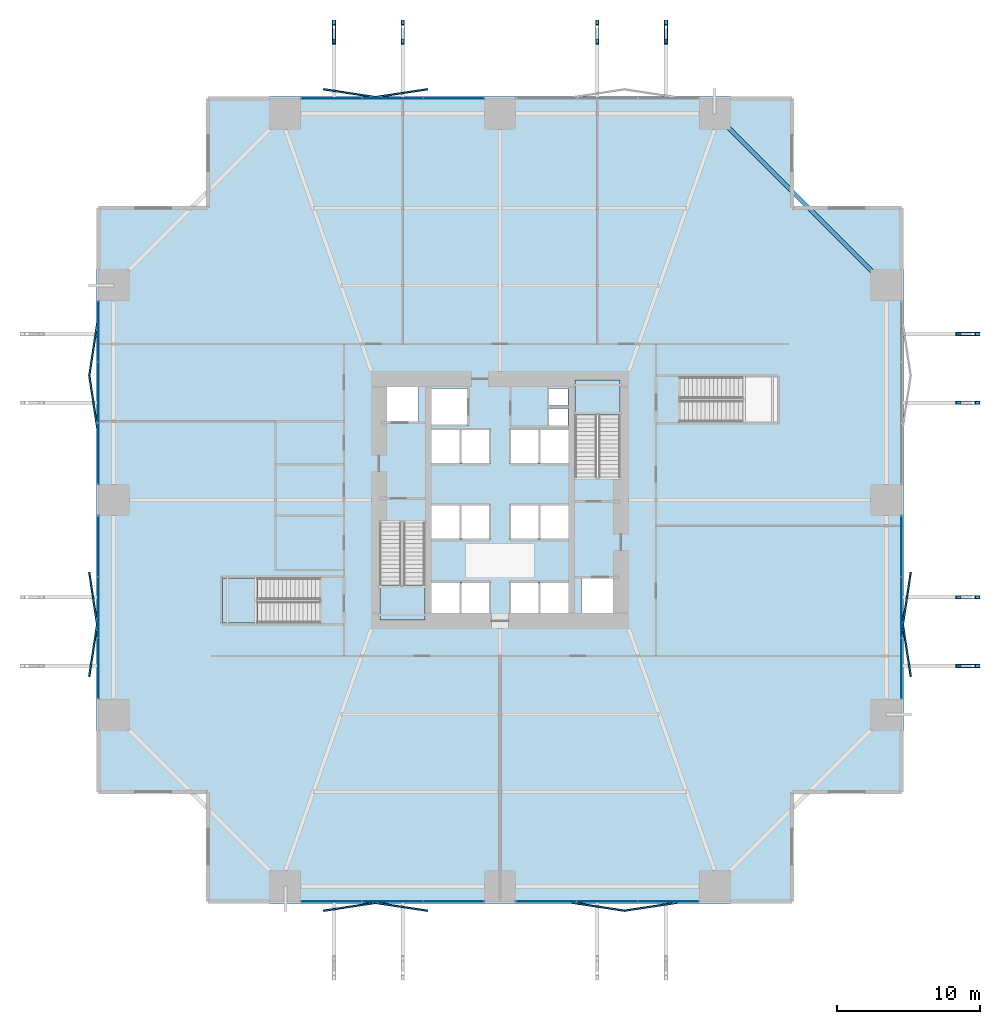
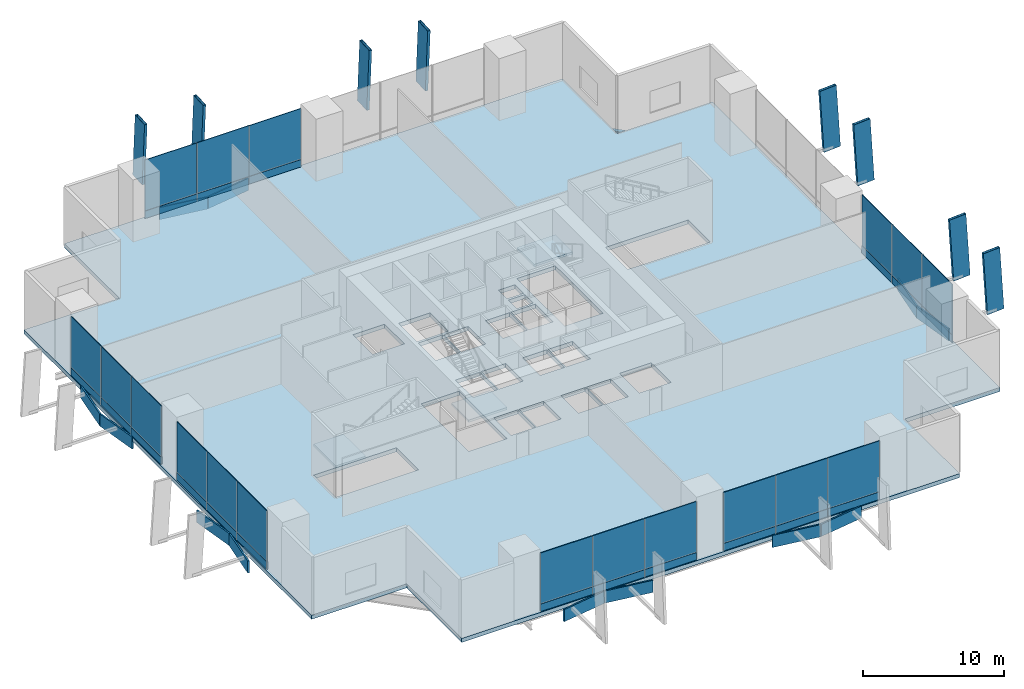
# One storey, part 18 of 24: 48 plates, 8 members, 4 slabs, 1 beam, 9 elements without a shape of their own.
"""IFC4 building model written with IfcOpenShell, lengths in metres."""

from ifc_helpers import new_model, si_unit, direction, frame, origin, origin_2d, place, context, subcontext, project, spatial, polyline, rectangle, hollow_rectangle, i_section, outline, extrude, material, layer, layer_set, material_profile, profile_set, type_object, element, aggregate, save


model = new_model("IFC4")

# Units and contexts
model_context = context("Model", 3, precision=1e-05, world=origin(), true_north=direction((0.0, 1.0)))
body_context = subcontext(model_context, "Body", "Model", "MODEL_VIEW")
ifc_project = project(units=[si_unit("LENGTHUNIT", "METRE"), si_unit("AREAUNIT", "SQUARE_METRE"), si_unit("VOLUMEUNIT", "CUBIC_METRE"), si_unit("PLANEANGLEUNIT", "RADIAN"), si_unit("MASSUNIT", "GRAM", prefix="KILO")], contexts=[model_context])

# Site, building, storey
site_placement = place(None, origin())
site = spatial("IfcSite", under=ifc_project, at=site_placement, CompositionType="ELEMENT")
building_placement = place(site_placement, origin())
building = spatial("IfcBuilding", under=site, at=building_placement, Name="Belovzor Exchange Tower", CompositionType="ELEMENT")
storey_placement = place(building_placement, frame((0.0, 0.0, 8.39990234375)))
storey = spatial("IfcBuildingStorey", under=building, at=storey_placement, Name="L02", CompositionType="ELEMENT", Elevation=8.39990234375)

# Members
ifc_material_1 = material(Name="Extruded Architectural Terracotta on Steel S355 Carrier", Category="masonry")
ifc_material_profile_1 = material_profile(ifc_material_1, hollow_rectangle(XDim=0.219970703125, YDim=1.35009765625, WallThickness=0.013916015625, at=origin_2d()))
ifc_profile_set_1 = profile_set([ifc_material_profile_1], Name="Extruded Architectural Terracotta on Steel S355 Carrier")
member_type = type_object("IfcMemberType", Name="Base Arc Sweeping Terracotta Pylon Fin 1450", PredefinedType="USERDEFINED", material=ifc_profile_set_1)
for number, where, z_axis, x_axis, name in (
    (1, (17.199951171875, 61.680908203125, -0.349853515625), (0.0, -0.062990673004, 0.998014115689), (1.0, 0.0, 0.0), "FIN-TC145 Terracotta Facade Fin L02 N1"),
    (2, (61.680908203125, 17.199951171875, -0.349853515625), (-0.062990673004, 0.0, 0.998014115689), (0.0, -1.0, 0.0), "FIN-TC145 Terracotta Facade Fin L02 E1"),
    (3, (22.0, 61.680908203125, -0.349853515625), (0.0, -0.062990673004, 0.998014115689), (1.0, 0.0, 0.0), "FIN-TC145 Terracotta Facade Fin L02 N2"),
    (4, (61.680908203125, 22.0, -0.349853515625), (-0.062990673004, 0.0, 0.998014115689), (0.0, -1.0, 0.0), "FIN-TC145 Terracotta Facade Fin L02 E2"),
    (5, (35.60009765625, 61.680908203125, -0.349853515625), (0.0, -0.062990673004, 0.998014115689), (1.0, 0.0, 0.0), "FIN-TC145 Terracotta Facade Fin L02 N3"),
    (6, (61.680908203125, 35.60009765625, -0.349853515625), (-0.062990673004, 0.0, 0.998014115689), (0.0, -1.0, 0.0), "FIN-TC145 Terracotta Facade Fin L02 E3"),
    (7, (40.39990234375, 61.680908203125, -0.349853515625), (0.0, -0.062990673004, 0.998014115689), (1.0, 0.0, 0.0), "FIN-TC145 Terracotta Facade Fin L02 N4"),
    (8, (61.680908203125, 40.39990234375, -0.349853515625), (-0.062990673004, 0.0, 0.998014115689), (0.0, -1.0, 0.0), "FIN-TC145 Terracotta Facade Fin L02 E4"),
):
    element("IfcMember", number, at=place(storey_placement, frame(where, z_axis=z_axis, x_axis=x_axis)), inside=storey, type_object=member_type, Name=name, ObjectType="FIN", PredefinedType="USERDEFINED", context=body_context, shape_type="SweptSolid", body=[
        extrude(hollow_rectangle(XDim=0.219970703125, YDim=1.35009765625, WallThickness=0.013916015625, at=origin_2d()), origin(), (0.0, 0.0, 1.0), 5.41064453125),
    ])

# Beam
ifc_material_2 = material(Name="Steel S460", Category="steel")
ifc_material_profile_2 = material_profile(ifc_material_2, i_section(OverallWidth=0.300048828125, OverallDepth=1.0, WebThickness=0.02099609375, FlangeThickness=0.0400390625, at=origin_2d()))
ifc_profile_set_2 = profile_set([ifc_material_profile_2], Name="Steel S460")
beam_type = type_object("IfcBeamType", Name="Podium Exchange Hall Ring Girder HEM 1000", PredefinedType="BEAM", material=ifc_profile_set_2)
beam_placement = place(storey_placement, frame((55.800048828125, 43.800048828125, -0.849853515625), z_axis=(-0.707106781187, 0.707106781187, 0.0), x_axis=(-0.707106781187, -0.707106781187, 0.0)))
element("IfcBeam", 9, at=beam_placement, inside=storey, type_object=beam_type, Name="PG-1 Podium Exchange Hall Ring Girder HEM 1000", PredefinedType="BEAM", context=body_context, shape_type="SweptSolid", body=[
    extrude(i_section(OverallWidth=0.300048828125, OverallDepth=1.0, WebThickness=0.02099609375, FlangeThickness=0.0400390625, at=origin_2d()), origin(), (0.0, 0.0, 1.0), 16.970458984375),
])

# Plates
ifc_material_3 = material(Name="Extruded Architectural Terracotta", Category="masonry")
ifc_layer_1 = layer(ifc_material_3, 0.1201171875)
ifc_layer_set_1 = layer_set([ifc_layer_1], Name="Extruded Architectural Terracotta")
plate_type_1 = type_object("IfcPlateType", Name="Folded Zigzag Terracotta Spandrel Louvre 80", PredefinedType="USERDEFINED", material=ifc_layer_set_1)
for number, where, z_axis, x_axis, name in (
    (10, (18.300048828125, 0.364990234375, -1.03515625), (0.0, 0.0, 1.0), (0.98853081729, 0.151019281113, 0.0), "LVR-ZZ1 Zigzag Terracotta Spandrel Louvre L02 S1A"),
    (11, (21.89990234375, 0.364990234375, -1.03515625), (0.0, 0.0, 1.0), (0.98853081729, -0.151019281113, 0.0), "LVR-ZZ1 Zigzag Terracotta Spandrel Louvre L02 S1B"),
    (12, (18.300048828125, 57.235107421875, -1.03515625), (0.0, 0.0, 1.0), (0.98853081729, -0.151019281113, 0.0), "LVR-ZZ1 Zigzag Terracotta Spandrel Louvre L02 N1A"),
    (13, (21.89990234375, 57.235107421875, -1.03515625), (0.0, 0.0, 1.0), (0.98853081729, 0.151019281113, 0.0), "LVR-ZZ1 Zigzag Terracotta Spandrel Louvre L02 N1B"),
    (14, (0.364990234375, 18.300048828125, -1.03515625), (0.0, 0.0, 1.0), (0.151019281113, 0.98853081729, 0.0), "LVR-ZZ1 Zigzag Terracotta Spandrel Louvre L02 W1A"),
    (15, (0.364990234375, 21.89990234375, -1.03515625), (0.0, 0.0, 1.0), (-0.151019281113, 0.98853081729, 0.0), "LVR-ZZ1 Zigzag Terracotta Spandrel Louvre L02 W1B"),
    (16, (57.235107421875, 18.300048828125, -1.03515625), (0.0, 0.0, 1.0), (-0.151019281113, 0.98853081729, 0.0), "LVR-ZZ1 Zigzag Terracotta Spandrel Louvre L02 E1A"),
    (17, (57.235107421875, 21.89990234375, -1.03515625), (0.0, 0.0, 1.0), (0.151019281113, 0.98853081729, 0.0), "LVR-ZZ1 Zigzag Terracotta Spandrel Louvre L02 E1B"),
    (18, (35.699951171875, 0.364990234375, -1.03515625), (0.0, 0.0, 1.0), (0.98853081729, -0.151019281113, 0.0), "LVR-ZZ1 Zigzag Terracotta Spandrel Louvre L02 S2A"),
    (19, (39.300048828125, 0.364990234375, -1.03515625), (0.0, 0.0, 1.0), (0.98853081729, 0.151019281113, 0.0), "LVR-ZZ1 Zigzag Terracotta Spandrel Louvre L02 S2B"),
    (20, (0.364990234375, 35.699951171875, -1.03515625), (0.0, 0.0, 1.0), (-0.151019281113, 0.98853081729, 0.0), "LVR-ZZ1 Zigzag Terracotta Spandrel Louvre L02 W2A"),
    (21, (0.364990234375, 39.300048828125, -1.03515625), (0.0, 0.0, 1.0), (0.151019281113, 0.98853081729, 0.0), "LVR-ZZ1 Zigzag Terracotta Spandrel Louvre L02 W2B"),
):
    element("IfcPlate", number, at=place(storey_placement, frame(where, z_axis=z_axis, x_axis=x_axis)), inside=storey, type_object=plate_type_1, Name=name, ObjectType="SPANDREL_LOUVRE", PredefinedType="USERDEFINED", context=body_context, shape_type="SweptSolid", body=[
        extrude(rectangle(XDim=3.721923828125, YDim=0.1201171875, at=origin_2d()), origin(), (0.0, 0.0, 1.0), 1.050048828125),
    ])

# Curtain wall, plates
ifc_material_4 = material(Name="Anodised Aluminium Framing", Category="aluminium")
ifc_layer_2 = layer(ifc_material_4, 0.219970703125)
ifc_layer_set_2 = layer_set([ifc_layer_2], Name="Anodised Aluminium Framing")
curtain_wall_type = type_object("IfcCurtainWallType", Name="Podium Clear-Span Exchange Hall Unitised Curtain Wall", PredefinedType="NOTDEFINED", material=ifc_layer_set_2)
curtain_wall_1_placement = place(storey_placement, origin())
curtain_wall_1 = element("IfcCurtainWall", 22, at=curtain_wall_1_placement, inside=storey, type_object=curtain_wall_type, Name="CW1 Podium Clear-Span Exchange Hall Unitised Curtain Wall L02", PredefinedType="NOTDEFINED")
ifc_material_5 = material(Name="Reconstituted Limestone Cassette", Category="masonry")
ifc_layer_3 = layer(ifc_material_5, 0.110107421875)
ifc_layer_set_3 = layer_set([ifc_layer_3], Name="Reconstituted Limestone Cassette")
plate_type_2 = type_object("IfcPlateType", Name="Insulated Stone-Faced Spandrel Cassette 110", PredefinedType="CURTAIN_PANEL", material=ifc_layer_set_3)
plate_1_placement = place(storey_placement, frame((25.56689453125, 0.72998046875, 0.000244140625), z_axis=(0.0, 0.0, 1.0), x_axis=(-1.0, 0.0, 0.0)))
plate_1 = element("IfcPlate", 23, at=plate_1_placement, type_object=plate_type_2, Name="SPD-110 Spandrel Panel 1", PredefinedType="CURTAIN_PANEL", context=body_context, shape_type="SweptSolid", body=[
    extrude(rectangle(XDim=4.2509765625, YDim=0.110107421875, at=origin_2d()), origin(), (0.0, 0.0, 1.0), 0.64794921875),
])
plate_2_placement = place(storey_placement, frame((21.300048828125, 0.72998046875, 0.000244140625), z_axis=(0.0, 0.0, 1.0), x_axis=(-1.0, 0.0, 0.0)))
plate_2 = element("IfcPlate", 24, at=plate_2_placement, type_object=plate_type_2, Name="SPD-110 Spandrel Panel 2", PredefinedType="CURTAIN_PANEL", context=body_context, shape_type="SweptSolid", body=[
    extrude(rectangle(XDim=4.2509765625, YDim=0.110107421875, at=origin_2d()), origin(), (0.0, 0.0, 1.0), 0.64794921875),
])
plate_3_placement = place(storey_placement, frame((17.032958984375, 0.72998046875, 0.000244140625), z_axis=(0.0, 0.0, 1.0), x_axis=(-1.0, 0.0, 0.0)))
plate_3 = element("IfcPlate", 25, at=plate_3_placement, type_object=plate_type_2, Name="SPD-110 Spandrel Panel 3", PredefinedType="CURTAIN_PANEL", context=body_context, shape_type="SweptSolid", body=[
    extrude(rectangle(XDim=4.2509765625, YDim=0.110107421875, at=origin_2d()), origin(), (0.0, 0.0, 1.0), 0.64794921875),
])

curtain_wall_2_placement = place(storey_placement, origin())
curtain_wall_2 = element("IfcCurtainWall", 26, at=curtain_wall_2_placement, inside=storey, type_object=curtain_wall_type, Name="CW1 Podium Clear-Span Exchange Hall Unitised Curtain Wall L02", PredefinedType="NOTDEFINED")
plate_4_placement = place(storey_placement, frame((40.56689453125, 0.72998046875, 0.000244140625), z_axis=(0.0, 0.0, 1.0), x_axis=(-1.0, 0.0, 0.0)))
plate_4 = element("IfcPlate", 27, at=plate_4_placement, type_object=plate_type_2, Name="SPD-110 Spandrel Panel 1", PredefinedType="CURTAIN_PANEL", context=body_context, shape_type="SweptSolid", body=[
    extrude(rectangle(XDim=4.2509765625, YDim=0.110107421875, at=origin_2d()), origin(), (0.0, 0.0, 1.0), 0.64794921875),
])
plate_5_placement = place(storey_placement, frame((36.300048828125, 0.72998046875, 0.000244140625), z_axis=(0.0, 0.0, 1.0), x_axis=(-1.0, 0.0, 0.0)))
plate_5 = element("IfcPlate", 28, at=plate_5_placement, type_object=plate_type_2, Name="SPD-110 Spandrel Panel 2", PredefinedType="CURTAIN_PANEL", context=body_context, shape_type="SweptSolid", body=[
    extrude(rectangle(XDim=4.2509765625, YDim=0.110107421875, at=origin_2d()), origin(), (0.0, 0.0, 1.0), 0.64794921875),
])
plate_6_placement = place(storey_placement, frame((32.032958984375, 0.72998046875, 0.000244140625), z_axis=(0.0, 0.0, 1.0), x_axis=(-1.0, 0.0, 0.0)))
plate_6 = element("IfcPlate", 29, at=plate_6_placement, type_object=plate_type_2, Name="SPD-110 Spandrel Panel 3", PredefinedType="CURTAIN_PANEL", context=body_context, shape_type="SweptSolid", body=[
    extrude(rectangle(XDim=4.2509765625, YDim=0.110107421875, at=origin_2d()), origin(), (0.0, 0.0, 1.0), 0.64794921875),
])

curtain_wall_3_placement = place(storey_placement, origin())
curtain_wall_3 = element("IfcCurtainWall", 30, at=curtain_wall_3_placement, inside=storey, type_object=curtain_wall_type, Name="CW1 Podium Clear-Span Exchange Hall Unitised Curtain Wall L02", PredefinedType="NOTDEFINED")
plate_7_placement = place(storey_placement, frame((17.032958984375, 56.8701171875, 0.000244140625), z_axis=(0.0, 0.0, 1.0), x_axis=(1.0, 0.0, 0.0)))
plate_7 = element("IfcPlate", 31, at=plate_7_placement, type_object=plate_type_2, Name="SPD-110 Spandrel Panel 1", PredefinedType="CURTAIN_PANEL", context=body_context, shape_type="SweptSolid", body=[
    extrude(rectangle(XDim=4.2509765625, YDim=0.110107421875, at=origin_2d()), origin(), (0.0, 0.0, 1.0), 0.64794921875),
])
plate_8_placement = place(storey_placement, frame((21.300048828125, 56.8701171875, 0.000244140625), z_axis=(0.0, 0.0, 1.0), x_axis=(1.0, 0.0, 0.0)))
plate_8 = element("IfcPlate", 32, at=plate_8_placement, type_object=plate_type_2, Name="SPD-110 Spandrel Panel 2", PredefinedType="CURTAIN_PANEL", context=body_context, shape_type="SweptSolid", body=[
    extrude(rectangle(XDim=4.2509765625, YDim=0.110107421875, at=origin_2d()), origin(), (0.0, 0.0, 1.0), 0.64794921875),
])
plate_9_placement = place(storey_placement, frame((25.56689453125, 56.8701171875, 0.000244140625), z_axis=(0.0, 0.0, 1.0), x_axis=(1.0, 0.0, 0.0)))
plate_9 = element("IfcPlate", 33, at=plate_9_placement, type_object=plate_type_2, Name="SPD-110 Spandrel Panel 3", PredefinedType="CURTAIN_PANEL", context=body_context, shape_type="SweptSolid", body=[
    extrude(rectangle(XDim=4.2509765625, YDim=0.110107421875, at=origin_2d()), origin(), (0.0, 0.0, 1.0), 0.64794921875),
])

curtain_wall_4_placement = place(storey_placement, origin())
curtain_wall_4 = element("IfcCurtainWall", 34, at=curtain_wall_4_placement, inside=storey, type_object=curtain_wall_type, Name="CW1 Podium Clear-Span Exchange Hall Unitised Curtain Wall L02", PredefinedType="NOTDEFINED")
plate_10_placement = place(storey_placement, frame((0.72998046875, 17.032958984375, 0.000244140625), z_axis=(0.0, 0.0, 1.0), x_axis=(0.0, 1.0, 0.0)))
plate_10 = element("IfcPlate", 35, at=plate_10_placement, type_object=plate_type_2, Name="SPD-110 Spandrel Panel 1", PredefinedType="CURTAIN_PANEL", context=body_context, shape_type="SweptSolid", body=[
    extrude(rectangle(XDim=4.2509765625, YDim=0.110107421875, at=origin_2d()), origin(), (0.0, 0.0, 1.0), 0.64794921875),
])
plate_11_placement = place(storey_placement, frame((0.72998046875, 21.300048828125, 0.000244140625), z_axis=(0.0, 0.0, 1.0), x_axis=(0.0, 1.0, 0.0)))
plate_11 = element("IfcPlate", 36, at=plate_11_placement, type_object=plate_type_2, Name="SPD-110 Spandrel Panel 2", PredefinedType="CURTAIN_PANEL", context=body_context, shape_type="SweptSolid", body=[
    extrude(rectangle(XDim=4.2509765625, YDim=0.110107421875, at=origin_2d()), origin(), (0.0, 0.0, 1.0), 0.64794921875),
])
plate_12_placement = place(storey_placement, frame((0.72998046875, 25.56689453125, 0.000244140625), z_axis=(0.0, 0.0, 1.0), x_axis=(0.0, 1.0, 0.0)))
plate_12 = element("IfcPlate", 37, at=plate_12_placement, type_object=plate_type_2, Name="SPD-110 Spandrel Panel 3", PredefinedType="CURTAIN_PANEL", context=body_context, shape_type="SweptSolid", body=[
    extrude(rectangle(XDim=4.2509765625, YDim=0.110107421875, at=origin_2d()), origin(), (0.0, 0.0, 1.0), 0.64794921875),
])

curtain_wall_5_placement = place(storey_placement, origin())
curtain_wall_5 = element("IfcCurtainWall", 38, at=curtain_wall_5_placement, inside=storey, type_object=curtain_wall_type, Name="CW1 Podium Clear-Span Exchange Hall Unitised Curtain Wall L02", PredefinedType="NOTDEFINED")
plate_13_placement = place(storey_placement, frame((0.72998046875, 32.032958984375, 0.000244140625), z_axis=(0.0, 0.0, 1.0), x_axis=(0.0, 1.0, 0.0)))
plate_13 = element("IfcPlate", 39, at=plate_13_placement, type_object=plate_type_2, Name="SPD-110 Spandrel Panel 1", PredefinedType="CURTAIN_PANEL", context=body_context, shape_type="SweptSolid", body=[
    extrude(rectangle(XDim=4.2509765625, YDim=0.110107421875, at=origin_2d()), origin(), (0.0, 0.0, 1.0), 0.64794921875),
])
plate_14_placement = place(storey_placement, frame((0.72998046875, 36.300048828125, 0.000244140625), z_axis=(0.0, 0.0, 1.0), x_axis=(0.0, 1.0, 0.0)))
plate_14 = element("IfcPlate", 40, at=plate_14_placement, type_object=plate_type_2, Name="SPD-110 Spandrel Panel 2", PredefinedType="CURTAIN_PANEL", context=body_context, shape_type="SweptSolid", body=[
    extrude(rectangle(XDim=4.2509765625, YDim=0.110107421875, at=origin_2d()), origin(), (0.0, 0.0, 1.0), 0.64794921875),
])
plate_15_placement = place(storey_placement, frame((0.72998046875, 40.56689453125, 0.000244140625), z_axis=(0.0, 0.0, 1.0), x_axis=(0.0, 1.0, 0.0)))
plate_15 = element("IfcPlate", 41, at=plate_15_placement, type_object=plate_type_2, Name="SPD-110 Spandrel Panel 3", PredefinedType="CURTAIN_PANEL", context=body_context, shape_type="SweptSolid", body=[
    extrude(rectangle(XDim=4.2509765625, YDim=0.110107421875, at=origin_2d()), origin(), (0.0, 0.0, 1.0), 0.64794921875),
])

curtain_wall_6_placement = place(storey_placement, origin())
curtain_wall_6 = element("IfcCurtainWall", 42, at=curtain_wall_6_placement, inside=storey, type_object=curtain_wall_type, Name="CW1 Podium Clear-Span Exchange Hall Unitised Curtain Wall L02", PredefinedType="NOTDEFINED")
plate_16_placement = place(storey_placement, frame((56.8701171875, 25.56689453125, 0.000244140625), z_axis=(0.0, 0.0, 1.0), x_axis=(0.0, -1.0, 0.0)))
plate_16 = element("IfcPlate", 43, at=plate_16_placement, type_object=plate_type_2, Name="SPD-110 Spandrel Panel 1", PredefinedType="CURTAIN_PANEL", context=body_context, shape_type="SweptSolid", body=[
    extrude(rectangle(XDim=4.2509765625, YDim=0.110107421875, at=origin_2d()), origin(), (0.0, 0.0, 1.0), 0.64794921875),
])
plate_17_placement = place(storey_placement, frame((56.8701171875, 21.300048828125, 0.000244140625), z_axis=(0.0, 0.0, 1.0), x_axis=(0.0, -1.0, 0.0)))
plate_17 = element("IfcPlate", 44, at=plate_17_placement, type_object=plate_type_2, Name="SPD-110 Spandrel Panel 2", PredefinedType="CURTAIN_PANEL", context=body_context, shape_type="SweptSolid", body=[
    extrude(rectangle(XDim=4.2509765625, YDim=0.110107421875, at=origin_2d()), origin(), (0.0, 0.0, 1.0), 0.64794921875),
])
plate_18_placement = place(storey_placement, frame((56.8701171875, 17.032958984375, 0.000244140625), z_axis=(0.0, 0.0, 1.0), x_axis=(0.0, -1.0, 0.0)))
plate_18 = element("IfcPlate", 45, at=plate_18_placement, type_object=plate_type_2, Name="SPD-110 Spandrel Panel 3", PredefinedType="CURTAIN_PANEL", context=body_context, shape_type="SweptSolid", body=[
    extrude(rectangle(XDim=4.2509765625, YDim=0.110107421875, at=origin_2d()), origin(), (0.0, 0.0, 1.0), 0.64794921875),
])

# Slab
ifc_material_6 = material(Name="Concrete C50/60", Category="concrete")
ifc_layer_4 = layer(ifc_material_6, 0.35009765625)
ifc_layer_set_4 = layer_set([ifc_layer_4], Name="Concrete C50/60")
slab_type_1 = type_object("IfcSlabType", Name="Reinforced Concrete Podium Hall Floor Slab 350", PredefinedType="FLOOR", material=ifc_layer_set_4)
slab_1_placement = place(storey_placement, frame((0.0, 0.0, -0.349853515625)))
element("IfcSlab", 46, at=slab_1_placement, inside=storey, type_object=slab_type_1, Name="SL-F350 Structural Slab L02", PredefinedType="FLOOR", context=body_context, shape_type="SweptSolid", body=[
    extrude(outline(polyline([(8.39990234375, 0.60009765625), (49.199951171875, 0.60009765625), (49.199951171875, 8.39990234375), (57.0, 8.39990234375), (57.0, 49.199951171875), (49.199951171875, 49.199951171875), (49.199951171875, 57.0), (8.39990234375, 57.0), (8.39990234375, 49.199951171875), (0.60009765625, 49.199951171875), (0.60009765625, 8.39990234375), (8.39990234375, 8.39990234375), (8.39990234375, 0.60009765625)]), holes=[polyline([(20.39990234375, 27.175048828125), (20.39990234375, 20.39990234375), (23.550048828125, 20.39990234375), (23.550048828125, 27.175048828125), (20.39990234375, 27.175048828125)]), polyline([(37.199951171875, 30.425048828125), (37.199951171875, 37.199951171875), (34.050048828125, 37.199951171875), (34.050048828125, 30.425048828125), (37.199951171875, 30.425048828125)]), polyline([(16.175048828125, 23.35009765625), (9.39990234375, 23.35009765625), (9.39990234375, 20.199951171875), (16.175048828125, 20.199951171875), (16.175048828125, 23.35009765625)]), polyline([(41.425048828125, 34.25), (48.199951171875, 34.25), (48.199951171875, 37.39990234375), (41.425048828125, 37.39990234375), (41.425048828125, 34.25)]), polyline([(20.5, 34.199951171875), (23.10009765625, 34.199951171875), (23.10009765625, 37.0), (20.5, 37.0), (20.5, 34.199951171875)]), polyline([(34.5, 20.60009765625), (37.10009765625, 20.60009765625), (37.10009765625, 23.39990234375), (34.5, 23.39990234375), (34.5, 20.60009765625)]), polyline([(24.0, 34.0), (26.60009765625, 34.0), (26.60009765625, 36.60009765625), (24.0, 36.60009765625), (24.0, 34.0)]), polyline([(24.0, 20.60009765625), (26.0, 20.60009765625), (26.0, 23.10009765625), (24.0, 23.10009765625), (24.0, 20.60009765625)]), polyline([(26.10009765625, 20.60009765625), (28.10009765625, 20.60009765625), (28.10009765625, 23.10009765625), (26.10009765625, 23.10009765625), (26.10009765625, 20.60009765625)]), polyline([(29.5, 20.60009765625), (31.5, 20.60009765625), (31.5, 23.10009765625), (29.5, 23.10009765625), (29.5, 20.60009765625)]), polyline([(31.60009765625, 20.60009765625), (33.60009765625, 20.60009765625), (33.60009765625, 23.10009765625), (31.60009765625, 23.10009765625), (31.60009765625, 20.60009765625)]), polyline([(24.0, 26.0), (26.0, 26.0), (26.0, 28.5), (24.0, 28.5), (24.0, 26.0)]), polyline([(26.10009765625, 26.0), (28.10009765625, 26.0), (28.10009765625, 28.5), (26.10009765625, 28.5), (26.10009765625, 26.0)]), polyline([(29.5, 26.0), (31.5, 26.0), (31.5, 28.5), (29.5, 28.5), (29.5, 26.0)]), polyline([(31.60009765625, 26.0), (33.60009765625, 26.0), (33.60009765625, 28.5), (31.60009765625, 28.5), (31.60009765625, 26.0)]), polyline([(24.0, 31.300048828125), (26.0, 31.300048828125), (26.0, 33.800048828125), (24.0, 33.800048828125), (24.0, 31.300048828125)]), polyline([(26.10009765625, 31.300048828125), (28.10009765625, 31.300048828125), (28.10009765625, 33.800048828125), (26.10009765625, 33.800048828125), (26.10009765625, 31.300048828125)]), polyline([(29.5, 31.300048828125), (31.5, 31.300048828125), (31.5, 33.800048828125), (29.5, 33.800048828125), (29.5, 31.300048828125)]), polyline([(31.60009765625, 31.300048828125), (33.60009765625, 31.300048828125), (33.60009765625, 33.800048828125), (31.60009765625, 33.800048828125), (31.60009765625, 31.300048828125)]), polyline([(32.199951171875, 34.0), (33.550048828125, 34.0), (33.550048828125, 35.199951171875), (32.199951171875, 35.199951171875), (32.199951171875, 34.0)]), polyline([(32.199951171875, 35.39990234375), (33.550048828125, 35.39990234375), (33.550048828125, 36.60009765625), (32.199951171875, 36.60009765625), (32.199951171875, 35.39990234375)])]), origin(), (0.0, 0.0, 1.0), 0.349853515625),
])

# Stair, slab
ifc_material_7 = material(Name="Concrete C40/50", Category="concrete")
stair_type_1 = type_object("IfcStairType", Name="Reinforced Concrete Dogleg Escape Stair 1350", PredefinedType="HALF_TURN_STAIR", material=ifc_material_7)
stair_1_placement = place(storey_placement, origin())
stair_1 = element("IfcStair", 47, at=stair_1_placement, inside=storey, type_object=stair_type_1, Name="L02 ST-1", PredefinedType="HALF_TURN_STAIR")
ifc_material_8 = material(Name="Concrete C40/50", Category="concrete")
ifc_layer_5 = layer(ifc_material_8, 0.199951171875)
ifc_layer_set_5 = layer_set([ifc_layer_5], Name="Concrete C40/50")
slab_type_2 = type_object("IfcSlabType", Name="Reinforced Concrete Stair Half-Landing Slab 200", PredefinedType="LANDING", material=ifc_layer_set_5)
slab_2_placement = place(storey_placement, frame((0.0, 0.0, 2.5)))
slab_2 = element("IfcSlab", 48, at=slab_2_placement, type_object=slab_type_2, Name="ST-1 landing 1", PredefinedType="LANDING", context=body_context, shape_type="SweptSolid", body=[
    extrude(outline(polyline([(20.39990234375, 22.85009765625), (20.39990234375, 20.39990234375), (23.550048828125, 20.39990234375), (23.550048828125, 22.85009765625), (20.39990234375, 22.85009765625)])), origin(), (0.0, 0.0, 1.0), 0.2001953125),
])
aggregate(stair_1, [slab_2])

stair_2_placement = place(storey_placement, origin())
stair_2 = element("IfcStair", 49, at=stair_2_placement, inside=storey, type_object=stair_type_1, Name="L02 ST-2", PredefinedType="HALF_TURN_STAIR")
slab_3_placement = place(storey_placement, frame((0.0, 0.0, 2.5)))
slab_3 = element("IfcSlab", 50, at=slab_3_placement, type_object=slab_type_2, Name="ST-2 landing 1", PredefinedType="LANDING", context=body_context, shape_type="SweptSolid", body=[
    extrude(outline(polyline([(37.199951171875, 34.75), (37.199951171875, 37.199951171875), (34.050048828125, 37.199951171875), (34.050048828125, 34.75), (37.199951171875, 34.75)])), origin(), (0.0, 0.0, 1.0), 0.2001953125),
])
aggregate(stair_2, [slab_3])

ifc_material_9 = material(Name="Concrete C40/50", Category="concrete")
stair_type_2 = type_object("IfcStairType", Name="Reinforced Concrete Podium Escape Stair 1400", PredefinedType="HALF_TURN_STAIR", material=ifc_material_9)
stair_3_placement = place(storey_placement, origin())
stair_3 = element("IfcStair", 51, at=stair_3_placement, inside=storey, type_object=stair_type_2, Name="L02 ST-3", PredefinedType="HALF_TURN_STAIR")
slab_4_placement = place(storey_placement, frame((0.0, 0.0, 2.5)))
slab_4 = element("IfcSlab", 52, at=slab_4_placement, type_object=slab_type_2, Name="ST-3 landing 1", PredefinedType="LANDING", context=body_context, shape_type="SweptSolid", body=[
    extrude(outline(polyline([(11.85009765625, 23.35009765625), (9.39990234375, 23.35009765625), (9.39990234375, 20.199951171875), (11.85009765625, 20.199951171875), (11.85009765625, 23.35009765625)])), origin(), (0.0, 0.0, 1.0), 0.2001953125),
])
aggregate(stair_3, [slab_4])

# Plate
ifc_material_10 = material(Name="Low-Iron Triple Glazing", Category="glass")
ifc_layer_6 = layer(ifc_material_10, 0.053955078125)
ifc_layer_set_6 = layer_set([ifc_layer_6], Name="Low-Iron Triple Glazing")
plate_type_3 = type_object("IfcPlateType", Name="Triple-Glazed Low-Iron Curtain Panel 54", PredefinedType="CURTAIN_PANEL", material=ifc_layer_set_6)
plate_19_placement = place(storey_placement, frame((25.56689453125, 0.72998046875, 0.652099609375), z_axis=(0.0, 0.0, 1.0), x_axis=(-1.0, 0.0, 0.0)))
plate_19 = element("IfcPlate", 53, at=plate_19_placement, type_object=plate_type_3, Name="GLZ-54 Glazed Curtain Panel 1", PredefinedType="CURTAIN_PANEL", context=body_context, shape_type="SweptSolid", body=[
    extrude(rectangle(XDim=4.2509765625, YDim=0.053955078125, at=origin_2d()), origin(), (0.0, 0.0, 1.0), 4.39794921875),
])

plate_20_placement = place(storey_placement, frame((21.300048828125, 0.72998046875, 0.652099609375), z_axis=(0.0, 0.0, 1.0), x_axis=(-1.0, 0.0, 0.0)))
plate_20 = element("IfcPlate", 54, at=plate_20_placement, type_object=plate_type_3, Name="GLZ-54 Glazed Curtain Panel 2", PredefinedType="CURTAIN_PANEL", context=body_context, shape_type="SweptSolid", body=[
    extrude(rectangle(XDim=4.2509765625, YDim=0.053955078125, at=origin_2d()), origin(), (0.0, 0.0, 1.0), 4.39794921875),
])

plate_21_placement = place(storey_placement, frame((17.032958984375, 0.72998046875, 0.652099609375), z_axis=(0.0, 0.0, 1.0), x_axis=(-1.0, 0.0, 0.0)))
plate_21 = element("IfcPlate", 55, at=plate_21_placement, type_object=plate_type_3, Name="GLZ-54 Glazed Curtain Panel 3", PredefinedType="CURTAIN_PANEL", context=body_context, shape_type="SweptSolid", body=[
    extrude(rectangle(XDim=4.2509765625, YDim=0.053955078125, at=origin_2d()), origin(), (0.0, 0.0, 1.0), 4.39794921875),
])

aggregate(curtain_wall_1, [plate_1, plate_19, plate_2, plate_20, plate_3, plate_21])

plate_22_placement = place(storey_placement, frame((40.56689453125, 0.72998046875, 0.652099609375), z_axis=(0.0, 0.0, 1.0), x_axis=(-1.0, 0.0, 0.0)))
plate_22 = element("IfcPlate", 56, at=plate_22_placement, type_object=plate_type_3, Name="GLZ-54 Glazed Curtain Panel 1", PredefinedType="CURTAIN_PANEL", context=body_context, shape_type="SweptSolid", body=[
    extrude(rectangle(XDim=4.2509765625, YDim=0.053955078125, at=origin_2d()), origin(), (0.0, 0.0, 1.0), 4.39794921875),
])

plate_23_placement = place(storey_placement, frame((36.300048828125, 0.72998046875, 0.652099609375), z_axis=(0.0, 0.0, 1.0), x_axis=(-1.0, 0.0, 0.0)))
plate_23 = element("IfcPlate", 57, at=plate_23_placement, type_object=plate_type_3, Name="GLZ-54 Glazed Curtain Panel 2", PredefinedType="CURTAIN_PANEL", context=body_context, shape_type="SweptSolid", body=[
    extrude(rectangle(XDim=4.2509765625, YDim=0.053955078125, at=origin_2d()), origin(), (0.0, 0.0, 1.0), 4.39794921875),
])

plate_24_placement = place(storey_placement, frame((32.032958984375, 0.72998046875, 0.652099609375), z_axis=(0.0, 0.0, 1.0), x_axis=(-1.0, 0.0, 0.0)))
plate_24 = element("IfcPlate", 58, at=plate_24_placement, type_object=plate_type_3, Name="GLZ-54 Glazed Curtain Panel 3", PredefinedType="CURTAIN_PANEL", context=body_context, shape_type="SweptSolid", body=[
    extrude(rectangle(XDim=4.2509765625, YDim=0.053955078125, at=origin_2d()), origin(), (0.0, 0.0, 1.0), 4.39794921875),
])

aggregate(curtain_wall_2, [plate_4, plate_22, plate_5, plate_23, plate_6, plate_24])

plate_25_placement = place(storey_placement, frame((17.032958984375, 56.8701171875, 0.652099609375), z_axis=(0.0, 0.0, 1.0), x_axis=(1.0, 0.0, 0.0)))
plate_25 = element("IfcPlate", 59, at=plate_25_placement, type_object=plate_type_3, Name="GLZ-54 Glazed Curtain Panel 1", PredefinedType="CURTAIN_PANEL", context=body_context, shape_type="SweptSolid", body=[
    extrude(rectangle(XDim=4.2509765625, YDim=0.053955078125, at=origin_2d()), origin(), (0.0, 0.0, 1.0), 4.39794921875),
])

plate_26_placement = place(storey_placement, frame((21.300048828125, 56.8701171875, 0.652099609375), z_axis=(0.0, 0.0, 1.0), x_axis=(1.0, 0.0, 0.0)))
plate_26 = element("IfcPlate", 60, at=plate_26_placement, type_object=plate_type_3, Name="GLZ-54 Glazed Curtain Panel 2", PredefinedType="CURTAIN_PANEL", context=body_context, shape_type="SweptSolid", body=[
    extrude(rectangle(XDim=4.2509765625, YDim=0.053955078125, at=origin_2d()), origin(), (0.0, 0.0, 1.0), 4.39794921875),
])

plate_27_placement = place(storey_placement, frame((25.56689453125, 56.8701171875, 0.652099609375), z_axis=(0.0, 0.0, 1.0), x_axis=(1.0, 0.0, 0.0)))
plate_27 = element("IfcPlate", 61, at=plate_27_placement, type_object=plate_type_3, Name="GLZ-54 Glazed Curtain Panel 3", PredefinedType="CURTAIN_PANEL", context=body_context, shape_type="SweptSolid", body=[
    extrude(rectangle(XDim=4.2509765625, YDim=0.053955078125, at=origin_2d()), origin(), (0.0, 0.0, 1.0), 4.39794921875),
])

aggregate(curtain_wall_3, [plate_7, plate_25, plate_8, plate_26, plate_9, plate_27])

plate_28_placement = place(storey_placement, frame((0.72998046875, 17.032958984375, 0.652099609375), z_axis=(0.0, 0.0, 1.0), x_axis=(0.0, 1.0, 0.0)))
plate_28 = element("IfcPlate", 62, at=plate_28_placement, type_object=plate_type_3, Name="GLZ-54 Glazed Curtain Panel 1", PredefinedType="CURTAIN_PANEL", context=body_context, shape_type="SweptSolid", body=[
    extrude(rectangle(XDim=4.2509765625, YDim=0.053955078125, at=origin_2d()), origin(), (0.0, 0.0, 1.0), 4.39794921875),
])

plate_29_placement = place(storey_placement, frame((0.72998046875, 21.300048828125, 0.652099609375), z_axis=(0.0, 0.0, 1.0), x_axis=(0.0, 1.0, 0.0)))
plate_29 = element("IfcPlate", 63, at=plate_29_placement, type_object=plate_type_3, Name="GLZ-54 Glazed Curtain Panel 2", PredefinedType="CURTAIN_PANEL", context=body_context, shape_type="SweptSolid", body=[
    extrude(rectangle(XDim=4.2509765625, YDim=0.053955078125, at=origin_2d()), origin(), (0.0, 0.0, 1.0), 4.39794921875),
])

plate_30_placement = place(storey_placement, frame((0.72998046875, 25.56689453125, 0.652099609375), z_axis=(0.0, 0.0, 1.0), x_axis=(0.0, 1.0, 0.0)))
plate_30 = element("IfcPlate", 64, at=plate_30_placement, type_object=plate_type_3, Name="GLZ-54 Glazed Curtain Panel 3", PredefinedType="CURTAIN_PANEL", context=body_context, shape_type="SweptSolid", body=[
    extrude(rectangle(XDim=4.2509765625, YDim=0.053955078125, at=origin_2d()), origin(), (0.0, 0.0, 1.0), 4.39794921875),
])

aggregate(curtain_wall_4, [plate_10, plate_28, plate_11, plate_29, plate_12, plate_30])

plate_31_placement = place(storey_placement, frame((0.72998046875, 32.032958984375, 0.652099609375), z_axis=(0.0, 0.0, 1.0), x_axis=(0.0, 1.0, 0.0)))
plate_31 = element("IfcPlate", 65, at=plate_31_placement, type_object=plate_type_3, Name="GLZ-54 Glazed Curtain Panel 1", PredefinedType="CURTAIN_PANEL", context=body_context, shape_type="SweptSolid", body=[
    extrude(rectangle(XDim=4.2509765625, YDim=0.053955078125, at=origin_2d()), origin(), (0.0, 0.0, 1.0), 4.39794921875),
])

plate_32_placement = place(storey_placement, frame((0.72998046875, 36.300048828125, 0.652099609375), z_axis=(0.0, 0.0, 1.0), x_axis=(0.0, 1.0, 0.0)))
plate_32 = element("IfcPlate", 66, at=plate_32_placement, type_object=plate_type_3, Name="GLZ-54 Glazed Curtain Panel 2", PredefinedType="CURTAIN_PANEL", context=body_context, shape_type="SweptSolid", body=[
    extrude(rectangle(XDim=4.2509765625, YDim=0.053955078125, at=origin_2d()), origin(), (0.0, 0.0, 1.0), 4.39794921875),
])

plate_33_placement = place(storey_placement, frame((0.72998046875, 40.56689453125, 0.652099609375), z_axis=(0.0, 0.0, 1.0), x_axis=(0.0, 1.0, 0.0)))
plate_33 = element("IfcPlate", 67, at=plate_33_placement, type_object=plate_type_3, Name="GLZ-54 Glazed Curtain Panel 3", PredefinedType="CURTAIN_PANEL", context=body_context, shape_type="SweptSolid", body=[
    extrude(rectangle(XDim=4.2509765625, YDim=0.053955078125, at=origin_2d()), origin(), (0.0, 0.0, 1.0), 4.39794921875),
])

aggregate(curtain_wall_5, [plate_13, plate_31, plate_14, plate_32, plate_15, plate_33])

plate_34_placement = place(storey_placement, frame((56.8701171875, 25.56689453125, 0.652099609375), z_axis=(0.0, 0.0, 1.0), x_axis=(0.0, -1.0, 0.0)))
plate_34 = element("IfcPlate", 68, at=plate_34_placement, type_object=plate_type_3, Name="GLZ-54 Glazed Curtain Panel 1", PredefinedType="CURTAIN_PANEL", context=body_context, shape_type="SweptSolid", body=[
    extrude(rectangle(XDim=4.2509765625, YDim=0.053955078125, at=origin_2d()), origin(), (0.0, 0.0, 1.0), 4.39794921875),
])

plate_35_placement = place(storey_placement, frame((56.8701171875, 21.300048828125, 0.652099609375), z_axis=(0.0, 0.0, 1.0), x_axis=(0.0, -1.0, 0.0)))
plate_35 = element("IfcPlate", 69, at=plate_35_placement, type_object=plate_type_3, Name="GLZ-54 Glazed Curtain Panel 2", PredefinedType="CURTAIN_PANEL", context=body_context, shape_type="SweptSolid", body=[
    extrude(rectangle(XDim=4.2509765625, YDim=0.053955078125, at=origin_2d()), origin(), (0.0, 0.0, 1.0), 4.39794921875),
])

plate_36_placement = place(storey_placement, frame((56.8701171875, 17.032958984375, 0.652099609375), z_axis=(0.0, 0.0, 1.0), x_axis=(0.0, -1.0, 0.0)))
plate_36 = element("IfcPlate", 70, at=plate_36_placement, type_object=plate_type_3, Name="GLZ-54 Glazed Curtain Panel 3", PredefinedType="CURTAIN_PANEL", context=body_context, shape_type="SweptSolid", body=[
    extrude(rectangle(XDim=4.2509765625, YDim=0.053955078125, at=origin_2d()), origin(), (0.0, 0.0, 1.0), 4.39794921875),
])

aggregate(curtain_wall_6, [plate_16, plate_34, plate_17, plate_35, plate_18, plate_36])

save(model, "model.ifc")
